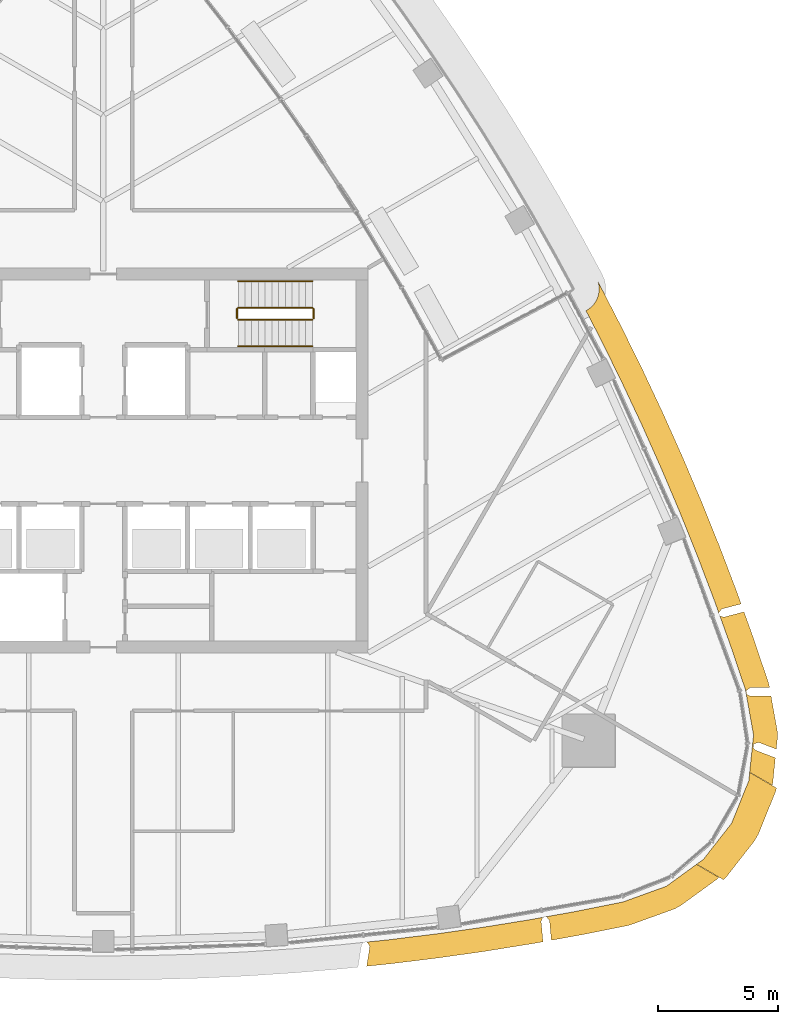
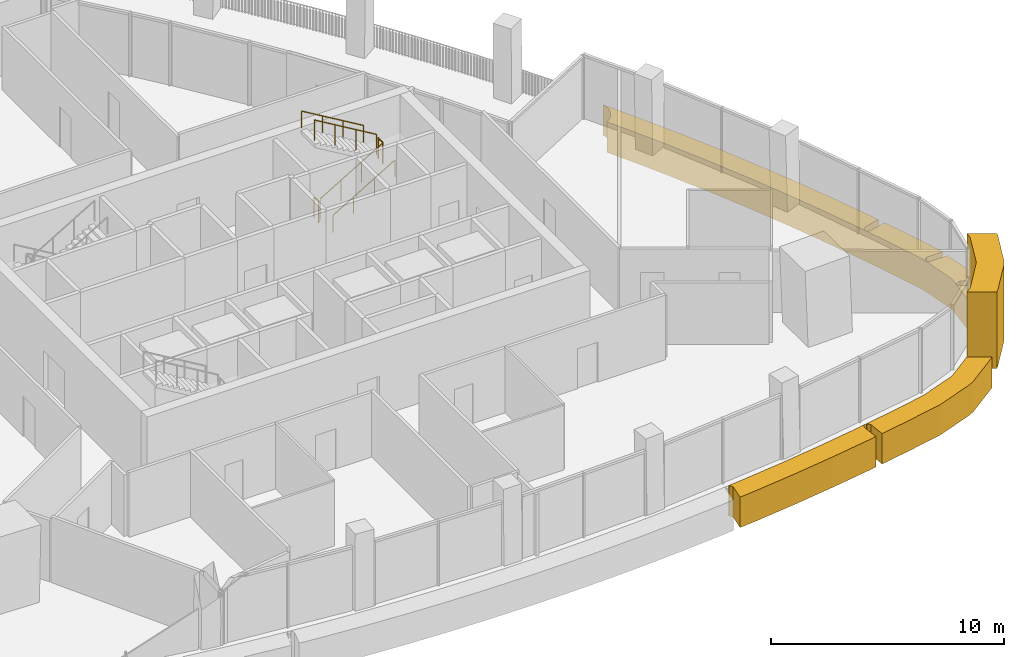
# One storey, part 15 of 18: 6 railings, 3 coverings.
"""IFC4 building model written with IfcOpenShell, lengths in metres."""

from ifc_helpers import new_model, si_unit, direction, frame, origin, origin_2d, place, context, subcontext, project, spatial, polyline, circle, outline, extrude, material, layer, layer_set, type_object, element, save


model = new_model("IFC4")

# Units and contexts
model_context = context("Model", 3, precision=1e-05, world=origin(), true_north=direction((0.0, 1.0)))
body_context = subcontext(model_context, "Body", "Model", "MODEL_VIEW")
ifc_project = project(units=[si_unit("LENGTHUNIT", "METRE"), si_unit("AREAUNIT", "SQUARE_METRE"), si_unit("VOLUMEUNIT", "CUBIC_METRE"), si_unit("PLANEANGLEUNIT", "RADIAN"), si_unit("MASSUNIT", "GRAM", prefix="KILO")], contexts=[model_context])

# Site, building, storey
site_placement = place(None, origin())
site = spatial("IfcSite", under=ifc_project, at=site_placement, CompositionType="ELEMENT")
building_placement = place(site_placement, origin())
building = spatial("IfcBuilding", under=site, at=building_placement, Name="Sierra Prisma Convention Tower", CompositionType="ELEMENT")
storey_placement = place(building_placement, frame((0.0, 0.0, 307.0)))
storey = spatial("IfcBuildingStorey", under=building, at=storey_placement, Name="L70", CompositionType="ELEMENT", Elevation=307.0)

# Coverings
ifc_material_1 = material(Name="Aluminium composite bronze anodised", Category="aluminium")
ifc_layer_1 = layer(ifc_material_1, 1.199951171875)
ifc_layer_set_1 = layer_set([ifc_layer_1], Name="Bronze corner pier")
covering_type_1 = type_object("IfcCoveringType", Name="Bronze corner pier", PredefinedType="CLADDING", material=ifc_layer_set_1)
covering_1_placement = place(storey_placement, frame((0.0, 0.0, -0.60009765625)))
element("IfcCovering", 1, at=covering_1_placement, inside=storey, type_object=covering_type_1, Name="Corner pier SE L70.1", PredefinedType="CLADDING", context=body_context, shape_type="SweptSolid", body=[
    extrude(outline(polyline([(26.8408203125, -12.9560546875), (27.95458984375, -13.59912109375), (27.918212890625, -13.74560546875), (27.204833984375, -15.51318359375), (27.037353515625, -15.803466796875), (25.863037109375, -17.30517578125), (25.75439453125, -17.40966796875), (24.640625, -16.7666015625), (24.917724609375, -16.56591796875), (26.092041015625, -15.064208984375), (26.805419921875, -13.29638671875), (26.8408203125, -12.9560546875)])), origin(), (0.0, 0.0, 1.0), 4.0),
])
ifc_material_2 = material(Name="Aluminium composite bronze anodised", Category="aluminium")
ifc_layer_2 = layer(ifc_material_2, 1.0)
ifc_layer_set_2 = layer_set([ifc_layer_2], Name="Bronze spandrel band")
covering_type_2 = type_object("IfcCoveringType", Name="Bronze spandrel band", PredefinedType="CLADDING", material=ifc_layer_set_2)
covering_2_placement = place(storey_placement, frame((0.0, 0.0, -1.60009765625)))
element("IfcCovering", 2, at=covering_2_placement, inside=storey, type_object=covering_type_2, Name="Spandrel band L70.3", PredefinedType="CLADDING", context=body_context, shape_type="SweptSolid", body=[
    extrude(outline(polyline([(20.60888671875, 7.303466796875), (20.61767578125, 7.286865234375), (21.524169921875, 5.531005859375), (21.532470703125, 5.51416015625), (22.40576171875, 3.74169921875), (22.413818359375, 3.724609375), (23.253662109375, 1.93603515625), (23.261474609375, 1.9189453125), (24.0673828125, 0.11474609375), (24.074951171875, 0.097412109375), (24.8466796875, -1.7216796875), (24.85400390625, -1.739013671875), (25.591552734375, -3.572265625), (25.598388671875, -3.58984375), (26.30126953125, -5.4365234375), (26.3076171875, -5.4541015625), (26.4873046875, -5.954345703125), (25.700439453125, -6.16162109375), (25.695556640625, -6.163330078125), (25.69091796875, -6.165283203125), (25.6865234375, -6.167724609375), (25.682373046875, -6.170654296875), (25.6787109375, -6.173828125), (25.675048828125, -6.177490234375), (25.5771484375, -6.2919921875), (25.57421875, -6.295654296875), (25.571533203125, -6.2998046875), (25.569580078125, -6.303955078125), (25.567626953125, -6.30859375), (25.56640625, -6.31298828125), (25.565673828125, -6.31787109375), (25.565185546875, -6.322509765625), (25.565185546875, -6.327392578125), (25.565673828125, -6.33203125), (25.566650390625, -6.3369140625), (25.568115234375, -6.34130859375), (25.601806640625, -6.435546875), (25.603759765625, -6.43994140625), (25.60595703125, -6.4443359375), (25.608642578125, -6.4482421875), (25.61181640625, -6.4521484375), (25.615234375, -6.45556640625), (25.618896484375, -6.45849609375), (25.623046875, -6.461181640625), (25.627197265625, -6.463623046875), (25.631591796875, -6.465576171875), (25.63623046875, -6.467041015625), (25.76416015625, -6.500244140625), (25.769287109375, -6.501220703125), (25.7744140625, -6.501708984375), (25.779296875, -6.501708984375), (25.784423828125, -6.501220703125), (25.78955078125, -6.500244140625), (26.606201171875, -6.284912109375), (26.9755859375, -7.31396484375), (26.98193359375, -7.33154296875), (27.61474609375, -9.20361328125), (27.65185546875, -9.34814453125), (27.6669921875, -9.4326171875), (26.874755859375, -9.43408203125), (26.8701171875, -9.4345703125), (26.865478515625, -9.43505859375), (26.861083984375, -9.436279296875), (26.856689453125, -9.437744140625), (26.852294921875, -9.439697265625), (26.848388671875, -9.44189453125), (26.844482421875, -9.444580078125), (26.718017578125, -9.54150390625), (26.714111328125, -9.544677734375), (26.710693359375, -9.548095703125), (26.70751953125, -9.552001953125), (26.704833984375, -9.556396484375), (26.70263671875, -9.560791015625), (26.70068359375, -9.565185546875), (26.699462890625, -9.570068359375), (26.698486328125, -9.574951171875), (26.6982421875, -9.580078125), (26.698486328125, -9.5849609375), (26.698974609375, -9.58984375), (26.716552734375, -9.688232421875), (26.7177734375, -9.693359375), (26.719482421875, -9.6982421875), (26.7216796875, -9.702880859375), (26.724365234375, -9.70751953125), (26.727294921875, -9.71142578125), (26.73095703125, -9.71533203125), (26.73486328125, -9.71875), (26.739013671875, -9.7216796875), (26.743408203125, -9.724365234375), (26.85302734375, -9.779052734375), (26.857421875, -9.781005859375), (26.86181640625, -9.7822265625), (26.8662109375, -9.783447265625), (26.870849609375, -9.783935546875), (26.87548828125, -9.7841796875), (27.7294921875, -9.782470703125), (27.98681640625, -11.224853515625), (27.996826171875, -11.50390625), (27.94677734375, -11.9873046875), (27.22509765625, -11.711181640625), (27.220458984375, -11.709716796875), (27.215576171875, -11.708740234375), (27.210693359375, -11.7080078125), (27.205810546875, -11.7080078125), (27.20068359375, -11.70849609375), (27.19580078125, -11.709228515625), (27.191162109375, -11.710693359375), (27.0322265625, -11.765380859375), (27.02783203125, -11.76708984375), (27.023681640625, -11.769287109375), (27.019775390625, -11.771728515625), (27.015869140625, -11.774658203125), (27.012451171875, -11.77783203125), (27.009521484375, -11.781494140625), (27.006591796875, -11.785400390625), (27.004150390625, -11.789306640625), (27.002197265625, -11.793701171875), (27.000732421875, -11.798095703125), (26.99951171875, -11.802734375), (26.998779296875, -11.807373046875), (26.988525390625, -11.906982421875), (26.98828125, -11.911865234375), (26.98828125, -11.916748046875), (26.989013671875, -11.921630859375), (26.990234375, -11.926513671875), (26.991943359375, -11.93115234375), (26.994140625, -11.935546875), (26.99658203125, -11.93994140625), (26.99951171875, -11.94384765625), (27.0029296875, -11.947509765625), (27.082763671875, -12.02685546875), (27.086669921875, -12.030517578125), (27.0908203125, -12.033447265625), (27.095458984375, -12.0361328125), (27.10009765625, -12.0380859375), (27.9091796875, -12.34765625), (27.800048828125, -13.39990234375), (27.778564453125, -13.486083984375), (26.841796875, -12.9453125), (27.002197265625, -11.400390625), (26.66748046875, -9.523681640625), (26.03466796875, -7.65185546875), (25.36669921875, -5.792236328125), (24.663818359375, -3.9453125), (23.92626953125, -2.1123046875), (23.154296875, -0.293212890625), (22.348388671875, 1.510986328125), (21.5087890625, 3.2998046875), (20.635498046875, 5.072265625), (20.042236328125, 6.221435546875), (20.048095703125, 6.224609375), (20.134521484375, 6.276123046875), (20.215087890625, 6.3359375), (20.289794921875, 6.4033203125), (20.357177734375, 6.477783203125), (20.4169921875, 6.55859375), (20.46875, 6.644775390625), (20.511474609375, 6.735595703125), (20.545166015625, 6.830322265625), (20.569580078125, 6.927734375), (20.583984375, 7.027099609375), (20.588623046875, 7.127685546875), (20.58349609375, 7.227783203125), (20.568359375, 7.3271484375), (20.5439453125, 7.423583984375), (20.60888671875, 7.303466796875)])), origin(), (0.0, 0.0, 1.0), 1.60009765625),
])
covering_3_placement = place(storey_placement, frame((0.0, 0.0, -1.60009765625)))
element("IfcCovering", 3, at=covering_3_placement, inside=storey, type_object=covering_type_2, Name="Spandrel band L70.4", PredefinedType="CLADDING", context=body_context, shape_type="SweptSolid", body=[
    extrude(outline(polyline([(21.921630859375, -19.273193359375), (21.77783203125, -19.313232421875), (19.84033203125, -19.701171875), (19.82177734375, -19.70458984375), (18.603759765625, -19.9248046875), (18.529541015625, -19.1142578125), (18.52880859375, -19.109375), (18.527587890625, -19.1044921875), (18.52587890625, -19.099609375), (18.523681640625, -19.09521484375), (18.52099609375, -19.0908203125), (18.51806640625, -19.0869140625), (18.42138671875, -18.97119140625), (18.418212890625, -18.9677734375), (18.414794921875, -18.964599609375), (18.410888671875, -18.961669921875), (18.40673828125, -18.959228515625), (18.40234375, -18.957275390625), (18.39794921875, -18.95556640625), (18.393310546875, -18.954345703125), (18.388427734375, -18.95361328125), (18.3837890625, -18.953369140625), (18.37890625, -18.95361328125), (18.374267578125, -18.9541015625), (18.27587890625, -18.971923828125), (18.27099609375, -18.972900390625), (18.2666015625, -18.974609375), (18.26220703125, -18.9765625), (18.2578125, -18.97900390625), (18.25390625, -18.981689453125), (18.250244140625, -18.98486328125), (18.246826171875, -18.98828125), (18.243896484375, -18.9921875), (18.2412109375, -18.996337890625), (18.239013671875, -19.000732421875), (18.18505859375, -19.121337890625), (18.183349609375, -19.126220703125), (18.181884765625, -19.131103515625), (18.18115234375, -19.135986328125), (18.180908203125, -19.14111328125), (18.180908203125, -19.146240234375), (18.258056640625, -19.9873046875), (17.877197265625, -20.055908203125), (17.85888671875, -20.05908203125), (15.907958984375, -20.373779296875), (15.889404296875, -20.376708984375), (13.93310546875, -20.65478515625), (13.914306640625, -20.6572265625), (11.953125, -20.898193359375), (11.934326171875, -20.900390625), (10.935791015625, -21.004150390625), (11.064208984375, -20.2001953125), (11.064697265625, -20.1953125), (11.064697265625, -20.1904296875), (11.064208984375, -20.185302734375), (11.0634765625, -20.1806640625), (11.06201171875, -20.17578125), (11.06005859375, -20.171142578125), (11.0576171875, -20.166748046875), (10.9716796875, -20.022705078125), (10.968994140625, -20.0185546875), (10.966064453125, -20.014892578125), (10.962646484375, -20.01171875), (10.958984375, -20.008544921875), (10.955078125, -20.005859375), (10.951171875, -20.00341796875), (10.94677734375, -20.001708984375), (10.9423828125, -20.0), (10.937744140625, -19.9990234375), (10.935546875, -19.998779296875), (11.8310546875, -19.90576171875), (13.792236328125, -19.66455078125), (15.748779296875, -19.38671875), (17.699462890625, -19.072021484375), (19.64404296875, -18.720703125), (21.58154296875, -18.332763671875), (23.374267578125, -17.684326171875), (24.6318359375, -16.773193359375), (25.568603515625, -17.31396484375), (25.504638671875, -17.37548828125), (23.9609375, -18.494140625), (23.71435546875, -18.624755859375), (21.921630859375, -19.273193359375)])), origin(), (0.0, 0.0, 1.0), 1.60009765625),
])

# Railings
ifc_material_3 = material(Name="Stainless steel", Category="steel")
railing_type_1 = type_object("IfcRailingType", Name="Exit stair handrail", PredefinedType="HANDRAIL", material=ifc_material_3)
railing_1_placement = place(storey_placement, frame((5.60009765625, 4.75, 0.166748046875)))
element("IfcRailing", 4, at=railing_1_placement, inside=storey, type_object=railing_type_1, Name="L70 S4 stair handrail 1", PredefinedType="HANDRAIL", context=body_context, shape_type="SweptSolid", body=[
    extrude(circle(Radius=0.02392578125, at=origin_2d()), frame((0.0, 0.0, 0.8759765625), z_axis=(0.859290745958, 0.0, 0.51148745235), x_axis=(0.0, 1.0, 0.0)), (0.0, 0.0, 1.0), 3.584228515625),
    extrude(circle(Radius=0.02099609375, at=origin_2d()), origin(), (0.0, 0.0, 1.0), 0.851806640625),
    extrude(circle(Radius=0.02099609375, at=origin_2d()), frame((1.026611328125, 0.0, 0.611083984375)), (0.0, 0.0, 1.0), 0.851806640625),
    extrude(circle(Radius=0.02099609375, at=origin_2d()), frame((2.05322265625, 0.0, 1.22216796875)), (0.0, 0.0, 1.0), 0.851806640625),
    extrude(circle(Radius=0.02099609375, at=origin_2d()), frame((3.079833984375, 0.0, 1.833251953125)), (0.0, 0.0, 1.0), 0.851806640625),
])
railing_2_placement = place(storey_placement, frame((8.679931640625, 7.449951171875, 2.166748046875)))
element("IfcRailing", 5, at=railing_2_placement, inside=storey, type_object=railing_type_1, Name="L70 S4 stair handrail 2", PredefinedType="HANDRAIL", context=body_context, shape_type="SweptSolid", body=[
    extrude(circle(Radius=0.02392578125, at=origin_2d()), frame((0.0, 0.0, 0.8759765625), z_axis=(-0.859290745958, 0.0, 0.51148745235), x_axis=(0.0, -1.0, 0.0)), (0.0, 0.0, 1.0), 3.584228515625),
    extrude(circle(Radius=0.02099609375, at=origin_2d()), origin(), (0.0, 0.0, 1.0), 0.851806640625),
    extrude(circle(Radius=0.02099609375, at=origin_2d()), frame((-1.026611328125, 0.0, 0.611083984375)), (0.0, 0.0, 1.0), 0.851806640625),
    extrude(circle(Radius=0.02099609375, at=origin_2d()), frame((-2.05322265625, 0.0, 1.22216796875)), (0.0, 0.0, 1.0), 0.851806640625),
    extrude(circle(Radius=0.02099609375, at=origin_2d()), frame((-3.079833984375, 0.0, 1.833251953125)), (0.0, 0.0, 1.0), 0.851806640625),
])
ifc_material_4 = material(Name="Stainless steel", Category="steel")
railing_type_2 = type_object("IfcRailingType", Name="Stair guard 1100", PredefinedType="GUARDRAIL", material=ifc_material_4)
railing_3_placement = place(storey_placement, frame((5.60009765625, 5.85009765625, 0.166748046875)))
element("IfcRailing", 6, at=railing_3_placement, inside=storey, type_object=railing_type_2, Name="L70 S4 stair guard 1", PredefinedType="GUARDRAIL", context=body_context, shape_type="SweptSolid", body=[
    extrude(circle(Radius=0.02392578125, at=origin_2d()), frame((0.0, 0.0, 1.076171875), z_axis=(0.859290745958, 0.0, 0.51148745235), x_axis=(0.0, 1.0, 0.0)), (0.0, 0.0, 1.0), 3.584228515625),
    extrude(circle(Radius=0.02099609375, at=origin_2d()), origin(), (0.0, 0.0, 1.0), 1.052001953125),
    extrude(circle(Radius=0.02099609375, at=origin_2d()), frame((1.026611328125, 0.0, 0.611083984375)), (0.0, 0.0, 1.0), 1.052001953125),
    extrude(circle(Radius=0.02099609375, at=origin_2d()), frame((2.05322265625, 0.0, 1.22216796875)), (0.0, 0.0, 1.0), 1.052001953125),
    extrude(circle(Radius=0.02099609375, at=origin_2d()), frame((3.079833984375, 0.0, 1.833251953125)), (0.0, 0.0, 1.0), 1.052001953125),
])
railing_4_placement = place(storey_placement, frame((8.72998046875, 5.89990234375, 2.0)))
element("IfcRailing", 7, at=railing_4_placement, inside=storey, type_object=railing_type_2, Name="L70 S4 stair guard 2", PredefinedType="GUARDRAIL", context=body_context, shape_type="SweptSolid", body=[
    extrude(circle(Radius=0.02392578125, at=origin_2d()), frame((0.0, 0.0, 1.076171875), z_axis=(0.0, 1.0, 0.0), x_axis=(-1.0, 0.0, 0.0)), (0.0, 0.0, 1.0), 0.400146484375),
    extrude(circle(Radius=0.02099609375, at=origin_2d()), origin(), (0.0, 0.0, 1.0), 1.052001953125),
    extrude(circle(Radius=0.02099609375, at=origin_2d()), frame((0.0, 0.400146484375, 0.0)), (0.0, 0.0, 1.0), 1.052001953125),
])
railing_5_placement = place(storey_placement, frame((8.679931640625, 6.35009765625, 2.166748046875)))
element("IfcRailing", 8, at=railing_5_placement, inside=storey, type_object=railing_type_2, Name="L70 S4 stair guard 3", PredefinedType="GUARDRAIL", context=body_context, shape_type="SweptSolid", body=[
    extrude(circle(Radius=0.02392578125, at=origin_2d()), frame((0.0, 0.0, 1.076171875), z_axis=(-0.859290745958, 0.0, 0.51148745235), x_axis=(0.0, -1.0, 0.0)), (0.0, 0.0, 1.0), 3.584228515625),
    extrude(circle(Radius=0.02099609375, at=origin_2d()), origin(), (0.0, 0.0, 1.0), 1.052001953125),
    extrude(circle(Radius=0.02099609375, at=origin_2d()), frame((-1.026611328125, 0.0, 0.611083984375)), (0.0, 0.0, 1.0), 1.052001953125),
    extrude(circle(Radius=0.02099609375, at=origin_2d()), frame((-2.05322265625, 0.0, 1.22216796875)), (0.0, 0.0, 1.0), 1.052001953125),
    extrude(circle(Radius=0.02099609375, at=origin_2d()), frame((-3.079833984375, 0.0, 1.833251953125)), (0.0, 0.0, 1.0), 1.052001953125),
])
railing_6_placement = place(storey_placement, frame((5.550048828125, 5.89990234375, 0.0)))
element("IfcRailing", 9, at=railing_6_placement, inside=storey, type_object=railing_type_2, Name="L70 S4 stair guard 4", PredefinedType="GUARDRAIL", context=body_context, shape_type="SweptSolid", body=[
    extrude(circle(Radius=0.02392578125, at=origin_2d()), frame((0.0, 0.0, 1.076171875), z_axis=(0.0, 1.0, 0.0), x_axis=(-1.0, 0.0, 0.0)), (0.0, 0.0, 1.0), 0.400146484375),
    extrude(circle(Radius=0.02099609375, at=origin_2d()), origin(), (0.0, 0.0, 1.0), 1.052001953125),
    extrude(circle(Radius=0.02099609375, at=origin_2d()), frame((0.0, 0.400146484375, 0.0)), (0.0, 0.0, 1.0), 1.052001953125),
])

save(model, "model.ifc")
